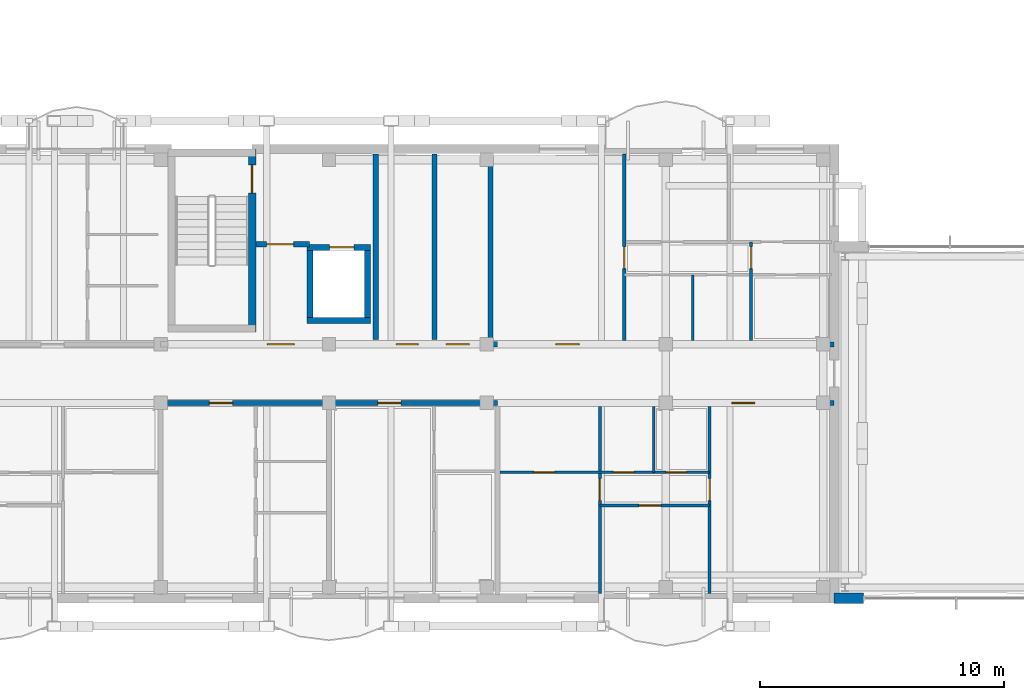
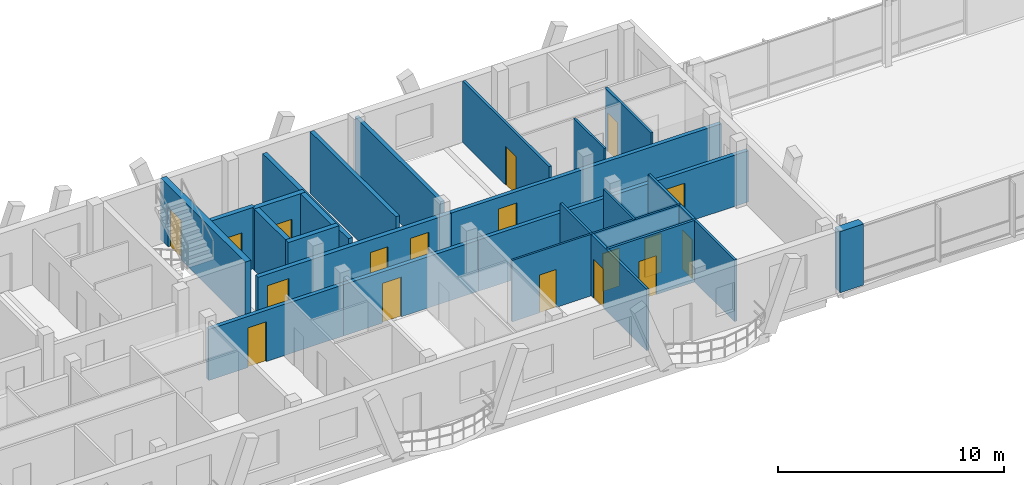
# One storey, part 144 of 189: 23 walls, 18 doors, 18 openings.
"""IFC4 building model written with IfcOpenShell, lengths in metres."""

from ifc_helpers import new_model, si_unit, direction, frame, frame_2d, origin, origin_with_axes, place, context, subcontext, project, spatial, rectangle, extrude, material, layer, layer_set, type_object, element, fill, save


model = new_model("IFC4")

# Units and contexts
model_context = context("Model", 3, precision=1e-05, world=origin(), true_north=direction((0.0, 1.0)))
body_context = subcontext(model_context, "Body", "Model", "MODEL_VIEW")
ifc_project = project(units=[si_unit("LENGTHUNIT", "METRE"), si_unit("AREAUNIT", "SQUARE_METRE"), si_unit("VOLUMEUNIT", "CUBIC_METRE"), si_unit("PLANEANGLEUNIT", "RADIAN"), si_unit("MASSUNIT", "GRAM", prefix="KILO")], contexts=[model_context])

# Site, building, storey
site_placement = place(None, origin())
site = spatial("IfcSite", under=ifc_project, at=site_placement, CompositionType="ELEMENT")
building_placement = place(site_placement, origin())
building = spatial("IfcBuilding", under=site, at=building_placement, Name="Zavelmont Quarter", CompositionType="ELEMENT")
storey_placement = place(building_placement, frame((0.0, 0.0, 4.39990234375)))
storey = spatial("IfcBuildingStorey", under=building, at=storey_placement, Name="L01", CompositionType="ELEMENT", Elevation=4.39990234375)

# Walls
ifc_material_1 = material(Name="Natural Belgian limestone", Category="masonry")
ifc_layer_1 = layer(ifc_material_1, 0.419921875)
ifc_layer_set_1 = layer_set([ifc_layer_1], Name="Natural Belgian limestone")
wall_type_1 = type_object("IfcWallType", Name="EW04", PredefinedType="STANDARD", material=ifc_layer_set_1)
wall_1_placement = place(storey_placement, frame((55.199951171875, 0.0, 0.0), z_axis=(0.0, 0.0, 1.0), x_axis=(1.0, 0.0, 0.0)))
element("IfcWall", 1, at=wall_1_placement, inside=storey, type_object=wall_type_1, Name="L01 exterior limestone wall EW04", PredefinedType="STANDARD", context=body_context, shape_type="SweptSolid", body=[
    extrude(rectangle(XDim=1.199951171875, YDim=0.419921875, at=frame_2d((0.60009765625, 0.0))), origin(), (0.0, 0.0, 1.0), 3.31005859375),
])
ifc_material_2 = material(Name="Calcium-silicate blockwork and acoustic plaster", Category="masonry")
ifc_layer_2 = layer(ifc_material_2, 0.199951171875)
ifc_layer_set_2 = layer_set([ifc_layer_2], Name="Calcium-silicate blockwork and acoustic plaster")
wall_type_2 = type_object("IfcWallType", Name="IW01", PredefinedType="PARTITIONING", material=ifc_layer_set_2)
for number, where, z_axis, x_axis, name in (
    (2, (38.824951171875, 10.60009765625, 0.0), (0.0, 0.0, 1.0), (0.0, 1.0, 0.0), "L01 Service riser divider wall IW01"),
    (3, (41.1201171875, 10.60009765625, 0.0), (0.0, 0.0, 1.0), (0.0, 1.0, 0.0), "L01 Core service end wall IW01"),
):
    element("IfcWall", number, at=place(storey_placement, frame(where, z_axis=z_axis, x_axis=x_axis)), inside=storey, type_object=wall_type_2, Name=name, PredefinedType="PARTITIONING", context=body_context, shape_type="SweptSolid", body=[
        extrude(rectangle(XDim=7.599853515625, YDim=0.199951171875, at=frame_2d((3.7998046875, 0.0))), origin(), (0.0, 0.0, 1.0), 3.330078125),
    ])

# Wall, opening, door
wall_2_placement = place(storey_placement, frame((27.60009765625, 8.0, 0.0), z_axis=(0.0, 0.0, 1.0), x_axis=(1.0, 0.0, 0.0)))
wall_2 = element("IfcWall", 4, at=wall_2_placement, inside=storey, type_object=wall_type_2, Name="L01 Corridor compartment wall IW01", PredefinedType="PARTITIONING", context=body_context, shape_type="SweptSolid", body=[
    extrude(rectangle(XDim=6.89990234375, YDim=0.199951171875, at=frame_2d((3.449951171875, 0.0))), origin(), (0.0, 0.0, 1.0), 2.77001953125),
])
opening_1_placement = place(wall_2_placement, frame((2.0, 0.0, 0.0)))
opening_1 = element("IfcOpeningElement", 5, at=opening_1_placement, cuts=wall_2, Name="Opening DR02", PredefinedType="OPENING", context=body_context, shape_type="SweptSolid", body=[
    extrude(rectangle(XDim=0.949951171875, YDim=2.14990234375, at=frame_2d((0.47509765625, 1.074951171875))), frame((0.0, 0.11181640625, 0.0), z_axis=(0.0, -1.0, 0.0), x_axis=(1.0, 0.0, 0.0)), (0.0, 0.0, 1.0), 0.223876953125),
])
ifc_material_3 = material(Name="Solid-core oak fire leaf in steel frame", Category="steel")
door_type_1 = type_object("IfcDoorType", Name="DR02", OperationType="NOTDEFINED", PredefinedType="DOOR", material=ifc_material_3)
door_1_placement = place(opening_1_placement, frame((0.949951171875, 0.0, 0.0), z_axis=(0.0, 0.0, 1.0), x_axis=(-1.0, 0.0, 0.0)))
door_1 = element("IfcDoor", 6, at=door_1_placement, inside=storey, type_object=door_type_1, Name="L01 door DR02", OperationType="SINGLE_SWING_RIGHT", OverallHeight=2.14990234375, OverallWidth=0.949951171875, PredefinedType="DOOR", context=body_context, shape_type="SweptSolid", body=[
    extrude(rectangle(XDim=0.949951171875, YDim=2.14990234375, at=frame_2d((0.47509765625, 1.074951171875))), frame((0.0, 0.02490234375, 0.0), z_axis=(0.0, -1.0, 0.0), x_axis=(1.0, 0.0, 0.0)), (0.0, 0.0, 1.0), 0.050048828125),
])
fill(opening_1, door_1)

wall_3_placement = place(storey_placement, frame((34.5, 8.0, 0.0), z_axis=(0.0, 0.0, 1.0), x_axis=(1.0, 0.0, 0.0)))
wall_3 = element("IfcWall", 7, at=wall_3_placement, inside=storey, type_object=wall_type_2, Name="L01 Corridor compartment wall IW01", PredefinedType="PARTITIONING", context=body_context, shape_type="SweptSolid", body=[
    extrude(rectangle(XDim=6.89990234375, YDim=0.199951171875, at=frame_2d((3.449951171875, 0.0))), origin(), (0.0, 0.0, 1.0), 2.77001953125),
])
opening_2_placement = place(wall_3_placement, frame((2.0, 0.0, 0.0)))
opening_2 = element("IfcOpeningElement", 8, at=opening_2_placement, cuts=wall_3, Name="Opening DR02", PredefinedType="OPENING", context=body_context, shape_type="SweptSolid", body=[
    extrude(rectangle(XDim=0.949951171875, YDim=2.14990234375, at=frame_2d((0.47509765625, 1.074951171875))), frame((0.0, 0.11181640625, 0.0), z_axis=(0.0, -1.0, 0.0), x_axis=(1.0, 0.0, 0.0)), (0.0, 0.0, 1.0), 0.223876953125),
])
door_2_placement = place(opening_2_placement, frame((0.949951171875, 0.0, 0.0), z_axis=(0.0, 0.0, 1.0), x_axis=(-1.0, 0.0, 0.0)))
door_2 = element("IfcDoor", 9, at=door_2_placement, inside=storey, type_object=door_type_1, Name="L01 door DR02", OperationType="SINGLE_SWING_LEFT", OverallHeight=2.14990234375, OverallWidth=0.949951171875, PredefinedType="DOOR", context=body_context, shape_type="SweptSolid", body=[
    extrude(rectangle(XDim=0.949951171875, YDim=2.14990234375, at=frame_2d((0.47509765625, 1.074951171875))), frame((0.0, 0.02490234375, 0.0), z_axis=(0.0, -1.0, 0.0), x_axis=(1.0, 0.0, 0.0)), (0.0, 0.0, 1.0), 0.050048828125),
])
fill(opening_2, door_2)

wall_4_placement = place(storey_placement, frame((41.39990234375, 8.0, 0.0), z_axis=(0.0, 0.0, 1.0), x_axis=(1.0, 0.0, 0.0)))
wall_4 = element("IfcWall", 10, at=wall_4_placement, inside=storey, type_object=wall_type_2, Name="L01 Corridor compartment wall IW01", PredefinedType="PARTITIONING", context=body_context, shape_type="SweptSolid", body=[
    extrude(rectangle(XDim=13.800048828125, YDim=0.199951171875, at=frame_2d((6.89990234375, 0.0))), origin(), (0.0, 0.0, 1.0), 2.77001953125),
])
opening_3_placement = place(wall_4_placement, frame((9.60009765625, 0.0, 0.0)))
opening_3 = element("IfcOpeningElement", 11, at=opening_3_placement, cuts=wall_4, Name="Opening DR02", PredefinedType="OPENING", context=body_context, shape_type="SweptSolid", body=[
    extrude(rectangle(XDim=0.949951171875, YDim=2.14990234375, at=frame_2d((0.47509765625, 1.074951171875))), frame((0.0, 0.11181640625, 0.0), z_axis=(0.0, -1.0, 0.0), x_axis=(1.0, 0.0, 0.0)), (0.0, 0.0, 1.0), 0.223876953125),
])
door_3_placement = place(opening_3_placement, frame((0.949951171875, 0.0, 0.0), z_axis=(0.0, 0.0, 1.0), x_axis=(-1.0, 0.0, 0.0)))
door_3 = element("IfcDoor", 12, at=door_3_placement, inside=storey, type_object=door_type_1, Name="L01 door DR02", OperationType="SINGLE_SWING_LEFT", OverallHeight=2.14990234375, OverallWidth=0.949951171875, PredefinedType="DOOR", context=body_context, shape_type="SweptSolid", body=[
    extrude(rectangle(XDim=0.949951171875, YDim=2.14990234375, at=frame_2d((0.47509765625, 1.074951171875))), frame((0.0, 0.02490234375, 0.0), z_axis=(0.0, -1.0, 0.0), x_axis=(1.0, 0.0, 0.0)), (0.0, 0.0, 1.0), 0.050048828125),
])
fill(opening_3, door_3)

wall_5_placement = place(storey_placement, frame((41.39990234375, 10.39990234375, 0.0), z_axis=(0.0, 0.0, 1.0), x_axis=(1.0, 0.0, 0.0)))
wall_5 = element("IfcWall", 13, at=wall_5_placement, inside=storey, type_object=wall_type_2, Name="L01 Corridor compartment wall IW01", PredefinedType="PARTITIONING", context=body_context, shape_type="SweptSolid", body=[
    extrude(rectangle(XDim=13.800048828125, YDim=0.199951171875, at=frame_2d((6.89990234375, 0.0))), origin(), (0.0, 0.0, 1.0), 2.77001953125),
])
opening_4_placement = place(wall_5_placement, frame((2.39990234375, 0.0, 0.0)))
opening_4 = element("IfcOpeningElement", 14, at=opening_4_placement, cuts=wall_5, Name="Opening DR02", PredefinedType="OPENING", context=body_context, shape_type="SweptSolid", body=[
    extrude(rectangle(XDim=0.949951171875, YDim=2.14990234375, at=frame_2d((0.47509765625, 1.074951171875))), frame((0.0, 0.11181640625, 0.0), z_axis=(0.0, -1.0, 0.0), x_axis=(1.0, 0.0, 0.0)), (0.0, 0.0, 1.0), 0.223876953125),
])
door_4_placement = place(opening_4_placement, origin_with_axes())
door_4 = element("IfcDoor", 15, at=door_4_placement, inside=storey, type_object=door_type_1, Name="L01 door DR02", OperationType="SINGLE_SWING_RIGHT", OverallHeight=2.14990234375, OverallWidth=0.949951171875, PredefinedType="DOOR", context=body_context, shape_type="SweptSolid", body=[
    extrude(rectangle(XDim=0.949951171875, YDim=2.14990234375, at=frame_2d((0.47509765625, 1.074951171875))), frame((0.0, 0.02490234375, 0.0), z_axis=(0.0, -1.0, 0.0), x_axis=(1.0, 0.0, 0.0)), (0.0, 0.0, 1.0), 0.050048828125),
])
fill(opening_4, door_4)

# Wall
ifc_material_4 = material(Name="Reinforced masonry fire compartment wall", Category="masonry")
ifc_layer_3 = layer(ifc_material_4, 0.22509765625)
ifc_layer_set_3 = layer_set([ifc_layer_3], Name="Reinforced masonry fire compartment wall")
wall_type_3 = type_object("IfcWallType", Name="IW02", PredefinedType="PARTITIONING", material=ifc_layer_set_3)
wall_6_placement = place(storey_placement, frame((36.409912109375, 10.60009765625, 0.0), z_axis=(0.0, 0.0, 1.0), x_axis=(0.0, 1.0, 0.0)))
element("IfcWall", 16, at=wall_6_placement, inside=storey, type_object=wall_type_3, Name="L01 Firefighting lobby enclosure wall IW02", PredefinedType="PARTITIONING", context=body_context, shape_type="SweptSolid", body=[
    extrude(rectangle(XDim=7.599853515625, YDim=0.22509765625, at=frame_2d((3.7998046875, 0.0))), origin(), (0.0, 0.0, 1.0), 2.989990234375),
])

# Wall, opening, door
wall_7_placement = place(storey_placement, frame((31.5, 14.5, 0.0), z_axis=(0.0, 0.0, 1.0), x_axis=(1.0, 0.0, 0.0)))
wall_7 = element("IfcWall", 17, at=wall_7_placement, inside=storey, type_object=wall_type_3, Name="L01 Firefighting lobby threshold wall IW02", PredefinedType="PARTITIONING", context=body_context, shape_type="SweptSolid", body=[
    extrude(rectangle(XDim=2.199951171875, YDim=0.22509765625, at=frame_2d((1.10009765625, 0.0))), origin(), (0.0, 0.0, 1.0), 3.330078125),
])
opening_5_placement = place(wall_7_placement, frame((0.449951171875, 0.0, 0.0)))
opening_5 = element("IfcOpeningElement", 18, at=opening_5_placement, cuts=wall_7, Name="Opening DR10", PredefinedType="OPENING", context=body_context, shape_type="SweptSolid", body=[
    extrude(rectangle(XDim=1.10009765625, YDim=2.14990234375, at=frame_2d((0.550048828125, 1.074951171875))), frame((0.0, 0.12451171875, 0.0), z_axis=(0.0, -1.0, 0.0), x_axis=(1.0, 0.0, 0.0)), (0.0, 0.0, 1.0), 0.2490234375),
])
ifc_material_5 = material(Name="Painted steel lobby fire door", Category="steel")
door_type_2 = type_object("IfcDoorType", Name="DR10", OperationType="NOTDEFINED", PredefinedType="DOOR", material=ifc_material_5)
door_5_placement = place(opening_5_placement, origin_with_axes())
door_5 = element("IfcDoor", 19, at=door_5_placement, inside=storey, type_object=door_type_2, Name="Firefighting lobby fire door", OperationType="SINGLE_SWING_RIGHT", OverallHeight=2.14990234375, OverallWidth=1.10009765625, PredefinedType="DOOR", context=body_context, shape_type="SweptSolid", body=[
    extrude(rectangle(XDim=1.10009765625, YDim=2.14990234375, at=frame_2d((0.550048828125, 1.074951171875))), frame((0.0, 0.02490234375, 0.0), z_axis=(0.0, -1.0, 0.0), x_axis=(1.0, 0.0, 0.0)), (0.0, 0.0, 1.0), 0.050048828125),
])
fill(opening_5, door_5)

# Wall, openings, doors
wall_8_placement = place(storey_placement, frame((31.5, 10.39990234375, 0.0), z_axis=(0.0, 0.0, 1.0), x_axis=(1.0, 0.0, 0.0)))
wall_8 = element("IfcWall", 20, at=wall_8_placement, inside=storey, type_object=wall_type_3, Name="L01 Core corridor fire wall IW02", PredefinedType="PARTITIONING", context=body_context, shape_type="SweptSolid", body=[
    extrude(rectangle(XDim=9.89990234375, YDim=0.22509765625, at=frame_2d((4.949951171875, 0.0))), origin(), (0.0, 0.0, 1.0), 2.77001953125),
])
opening_6_placement = place(wall_8_placement, frame((0.47509765625, 0.0, 0.0)))
opening_6 = element("IfcOpeningElement", 21, at=opening_6_placement, cuts=wall_8, Name="Opening DR10", PredefinedType="OPENING", context=body_context, shape_type="SweptSolid", body=[
    extrude(rectangle(XDim=1.10009765625, YDim=2.14990234375, at=frame_2d((0.550048828125, 1.074951171875))), frame((0.0, 0.12451171875, 0.0), z_axis=(0.0, -1.0, 0.0), x_axis=(1.0, 0.0, 0.0)), (0.0, 0.0, 1.0), 0.2490234375),
])
opening_7_placement = place(wall_8_placement, frame((5.75, 0.0, 0.0)))
opening_7 = element("IfcOpeningElement", 22, at=opening_7_placement, cuts=wall_8, Name="Opening DR11", PredefinedType="OPENING", context=body_context, shape_type="SweptSolid", body=[
    extrude(rectangle(XDim=0.89990234375, YDim=2.10009765625, at=frame_2d((0.449951171875, 1.050048828125))), frame((0.0, 0.12451171875, 0.0), z_axis=(0.0, -1.0, 0.0), x_axis=(1.0, 0.0, 0.0)), (0.0, 0.0, 1.0), 0.2490234375),
])
opening_8_placement = place(wall_8_placement, frame((7.800048828125, 0.0, 0.0)))
opening_8 = element("IfcOpeningElement", 23, at=opening_8_placement, cuts=wall_8, Name="Opening DR02", PredefinedType="OPENING", context=body_context, shape_type="SweptSolid", body=[
    extrude(rectangle(XDim=0.949951171875, YDim=2.14990234375, at=frame_2d((0.47509765625, 1.074951171875))), frame((0.0, 0.12451171875, 0.0), z_axis=(0.0, -1.0, 0.0), x_axis=(1.0, 0.0, 0.0)), (0.0, 0.0, 1.0), 0.2490234375),
])
door_6_placement = place(opening_8_placement, frame((0.949951171875, 0.0, 0.0), z_axis=(0.0, 0.0, 1.0), x_axis=(-1.0, 0.0, 0.0)))
door_6 = element("IfcDoor", 24, at=door_6_placement, inside=storey, type_object=door_type_1, Name="Auxiliary store corridor door", OperationType="SINGLE_SWING_RIGHT", OverallHeight=2.14990234375, OverallWidth=0.949951171875, PredefinedType="DOOR", context=body_context, shape_type="SweptSolid", body=[
    extrude(rectangle(XDim=0.949951171875, YDim=2.14990234375, at=frame_2d((0.47509765625, 1.074951171875))), frame((0.0, 0.02490234375, 0.0), z_axis=(0.0, -1.0, 0.0), x_axis=(1.0, 0.0, 0.0)), (0.0, 0.0, 1.0), 0.050048828125),
])
fill(opening_8, door_6)
door_7_placement = place(opening_6_placement, origin_with_axes())
door_7 = element("IfcDoor", 25, at=door_7_placement, inside=storey, type_object=door_type_2, Name="Core vestibule fire door", OperationType="SINGLE_SWING_LEFT", OverallHeight=2.14990234375, OverallWidth=1.10009765625, PredefinedType="DOOR", context=body_context, shape_type="SweptSolid", body=[
    extrude(rectangle(XDim=1.10009765625, YDim=2.14990234375, at=frame_2d((0.550048828125, 1.074951171875))), frame((0.0, 0.02490234375, 0.0), z_axis=(0.0, -1.0, 0.0), x_axis=(1.0, 0.0, 0.0)), (0.0, 0.0, 1.0), 0.050048828125),
])
fill(opening_6, door_7)
ifc_material_6 = material(Name="Painted steel service-riser fire door", Category="steel")
door_type_3 = type_object("IfcDoorType", Name="DR11", OperationType="NOTDEFINED", PredefinedType="DOOR", material=ifc_material_6)
door_8_placement = place(opening_7_placement, frame((0.89990234375, 0.0, 0.0), z_axis=(0.0, 0.0, 1.0), x_axis=(-1.0, 0.0, 0.0)))
door_8 = element("IfcDoor", 26, at=door_8_placement, inside=storey, type_object=door_type_3, Name="Service riser fire door", OperationType="SINGLE_SWING_LEFT", OverallHeight=2.10009765625, OverallWidth=0.89990234375, PredefinedType="DOOR", context=body_context, shape_type="SweptSolid", body=[
    extrude(rectangle(XDim=0.89990234375, YDim=2.10009765625, at=frame_2d((0.449951171875, 1.050048828125))), frame((0.0, 0.02490234375, 0.0), z_axis=(0.0, -1.0, 0.0), x_axis=(1.0, 0.0, 0.0)), (0.0, 0.0, 1.0), 0.050048828125),
])
fill(opening_7, door_8)

# Wall, opening, door
ifc_material_7 = material(Name="Double gypsum board on acoustic steel stud", Category="steel")
ifc_layer_4 = layer(ifc_material_7, 0.125)
ifc_layer_set_4 = layer_set([ifc_layer_4], Name="Double gypsum board on acoustic steel stud")
wall_type_4 = type_object("IfcWallType", Name="IW03", PredefinedType="PARTITIONING", material=ifc_layer_set_4)
wall_9_placement = place(storey_placement, frame((50.10009765625, 7.85009765625, 0.0), z_axis=(0.0, 0.0, 1.0), x_axis=(0.0, -1.0, 0.0)))
wall_9 = element("IfcWall", 27, at=wall_9_placement, inside=storey, type_object=wall_type_4, Name="L01 Partition IW03", PredefinedType="PARTITIONING", context=body_context, shape_type="SweptSolid", body=[
    extrude(rectangle(XDim=7.650146484375, YDim=0.125, at=frame_2d((3.8251953125, 0.0))), origin(), (0.0, 0.0, 1.0), 3.330078125),
])
opening_9_placement = place(wall_9_placement, frame((2.949951171875, 0.0, 0.0)))
opening_9 = element("IfcOpeningElement", 28, at=opening_9_placement, cuts=wall_9, Name="Opening DR05", PredefinedType="OPENING", context=body_context, shape_type="SweptSolid", body=[
    extrude(rectangle(XDim=0.89990234375, YDim=2.10009765625, at=frame_2d((0.449951171875, 1.050048828125))), frame((0.0, 0.074462890625, 0.0), z_axis=(0.0, -1.0, 0.0), x_axis=(1.0, 0.0, 0.0)), (0.0, 0.0, 1.0), 0.14892578125),
])
ifc_material_8 = material(Name="Engineered oak flush interior door")
door_type_4 = type_object("IfcDoorType", Name="DR05", OperationType="NOTDEFINED", PredefinedType="DOOR", material=ifc_material_8)
door_9_placement = place(opening_9_placement, origin_with_axes())
door_9 = element("IfcDoor", 29, at=door_9_placement, inside=storey, type_object=door_type_4, Name="L01 door DR05", OperationType="SINGLE_SWING_LEFT", OverallHeight=2.10009765625, OverallWidth=0.89990234375, PredefinedType="DOOR", context=body_context, shape_type="SweptSolid", body=[
    extrude(rectangle(XDim=0.89990234375, YDim=2.10009765625, at=frame_2d((0.449951171875, 1.050048828125))), frame((0.0, 0.02490234375, 0.0), z_axis=(0.0, -1.0, 0.0), x_axis=(1.0, 0.0, 0.0)), (0.0, 0.0, 1.0), 0.050048828125),
])
fill(opening_9, door_9)

wall_10_placement = place(storey_placement, frame((45.60009765625, 7.85009765625, 0.0), z_axis=(0.0, 0.0, 1.0), x_axis=(0.0, -1.0, 0.0)))
wall_10 = element("IfcWall", 30, at=wall_10_placement, inside=storey, type_object=wall_type_4, Name="L01 Partition IW03", PredefinedType="PARTITIONING", context=body_context, shape_type="SweptSolid", body=[
    extrude(rectangle(XDim=7.650146484375, YDim=0.125, at=frame_2d((3.8251953125, 0.0))), origin(), (0.0, 0.0, 1.0), 3.330078125),
])
opening_10_placement = place(wall_10_placement, frame((2.949951171875, 0.0, 0.0)))
opening_10 = element("IfcOpeningElement", 31, at=opening_10_placement, cuts=wall_10, Name="Opening DR05", PredefinedType="OPENING", context=body_context, shape_type="SweptSolid", body=[
    extrude(rectangle(XDim=0.89990234375, YDim=2.10009765625, at=frame_2d((0.449951171875, 1.050048828125))), frame((0.0, 0.074462890625, 0.0), z_axis=(0.0, -1.0, 0.0), x_axis=(1.0, 0.0, 0.0)), (0.0, 0.0, 1.0), 0.14892578125),
])
door_10_placement = place(opening_10_placement, frame((0.89990234375, 0.0, 0.0), z_axis=(0.0, 0.0, 1.0), x_axis=(-1.0, 0.0, 0.0)))
door_10 = element("IfcDoor", 32, at=door_10_placement, inside=storey, type_object=door_type_4, Name="L01 door DR05", OperationType="SINGLE_SWING_RIGHT", OverallHeight=2.10009765625, OverallWidth=0.89990234375, PredefinedType="DOOR", context=body_context, shape_type="SweptSolid", body=[
    extrude(rectangle(XDim=0.89990234375, YDim=2.10009765625, at=frame_2d((0.449951171875, 1.050048828125))), frame((0.0, 0.02490234375, 0.0), z_axis=(0.0, -1.0, 0.0), x_axis=(1.0, 0.0, 0.0)), (0.0, 0.0, 1.0), 0.050048828125),
])
fill(opening_10, door_10)

wall_11_placement = place(storey_placement, frame((45.60009765625, 3.800048828125, 0.0), z_axis=(0.0, 0.0, 1.0), x_axis=(1.0, 0.0, 0.0)))
wall_11 = element("IfcWall", 33, at=wall_11_placement, inside=storey, type_object=wall_type_4, Name="L01 Partition IW03", PredefinedType="PARTITIONING", context=body_context, shape_type="SweptSolid", body=[
    extrude(rectangle(XDim=4.5, YDim=0.125, at=frame_2d((2.25, 0.0))), origin(), (0.0, 0.0, 1.0), 3.330078125),
])
opening_11_placement = place(wall_11_placement, frame((1.60009765625, 0.0, 0.0)))
opening_11 = element("IfcOpeningElement", 34, at=opening_11_placement, cuts=wall_11, Name="Opening DR05", PredefinedType="OPENING", context=body_context, shape_type="SweptSolid", body=[
    extrude(rectangle(XDim=0.89990234375, YDim=2.10009765625, at=frame_2d((0.449951171875, 1.050048828125))), frame((0.0, 0.074462890625, 0.0), z_axis=(0.0, -1.0, 0.0), x_axis=(1.0, 0.0, 0.0)), (0.0, 0.0, 1.0), 0.14892578125),
])
door_11_placement = place(opening_11_placement, frame((0.89990234375, 0.0, 0.0), z_axis=(0.0, 0.0, 1.0), x_axis=(-1.0, 0.0, 0.0)))
door_11 = element("IfcDoor", 35, at=door_11_placement, inside=storey, type_object=door_type_4, Name="L01 door DR05", OperationType="SINGLE_SWING_RIGHT", OverallHeight=2.10009765625, OverallWidth=0.89990234375, PredefinedType="DOOR", context=body_context, shape_type="SweptSolid", body=[
    extrude(rectangle(XDim=0.89990234375, YDim=2.10009765625, at=frame_2d((0.449951171875, 1.050048828125))), frame((0.0, 0.02490234375, 0.0), z_axis=(0.0, -1.0, 0.0), x_axis=(1.0, 0.0, 0.0)), (0.0, 0.0, 1.0), 0.050048828125),
])
fill(opening_11, door_11)

wall_12_placement = place(storey_placement, frame((46.60009765625, 10.550048828125, 0.0), z_axis=(0.0, 0.0, 1.0), x_axis=(0.0, 1.0, 0.0)))
wall_12 = element("IfcWall", 36, at=wall_12_placement, inside=storey, type_object=wall_type_4, Name="L01 Partition IW03", PredefinedType="PARTITIONING", context=body_context, shape_type="SweptSolid", body=[
    extrude(rectangle(XDim=7.64990234375, YDim=0.125, at=frame_2d((3.824951171875, 0.0))), origin(), (0.0, 0.0, 1.0), 3.330078125),
])
opening_12_placement = place(wall_12_placement, frame((2.949951171875, 0.0, 0.0)))
opening_12 = element("IfcOpeningElement", 37, at=opening_12_placement, cuts=wall_12, Name="Opening DR05", PredefinedType="OPENING", context=body_context, shape_type="SweptSolid", body=[
    extrude(rectangle(XDim=0.89990234375, YDim=2.10009765625, at=frame_2d((0.449951171875, 1.050048828125))), frame((0.0, 0.074462890625, 0.0), z_axis=(0.0, -1.0, 0.0), x_axis=(1.0, 0.0, 0.0)), (0.0, 0.0, 1.0), 0.14892578125),
])
door_12_placement = place(opening_12_placement, frame((0.89990234375, 0.0, 0.0), z_axis=(0.0, 0.0, 1.0), x_axis=(-1.0, 0.0, 0.0)))
door_12 = element("IfcDoor", 38, at=door_12_placement, inside=storey, type_object=door_type_4, Name="L01 door DR05", OperationType="SINGLE_SWING_RIGHT", OverallHeight=2.10009765625, OverallWidth=0.89990234375, PredefinedType="DOOR", context=body_context, shape_type="SweptSolid", body=[
    extrude(rectangle(XDim=0.89990234375, YDim=2.10009765625, at=frame_2d((0.449951171875, 1.050048828125))), frame((0.0, 0.02490234375, 0.0), z_axis=(0.0, -1.0, 0.0), x_axis=(1.0, 0.0, 0.0)), (0.0, 0.0, 1.0), 0.050048828125),
])
fill(opening_12, door_12)

wall_13_placement = place(storey_placement, frame((51.800048828125, 10.550048828125, 0.0), z_axis=(0.0, 0.0, 1.0), x_axis=(0.0, 1.0, 0.0)))
wall_13 = element("IfcWall", 39, at=wall_13_placement, inside=storey, type_object=wall_type_4, Name="L01 Partition IW03", PredefinedType="PARTITIONING", context=body_context, shape_type="SweptSolid", body=[
    extrude(rectangle(XDim=4.050048828125, YDim=0.125, at=frame_2d((2.02490234375, 0.0))), origin(), (0.0, 0.0, 1.0), 3.330078125),
])
opening_13_placement = place(wall_13_placement, frame((2.949951171875, 0.0, 0.0)))
opening_13 = element("IfcOpeningElement", 40, at=opening_13_placement, cuts=wall_13, Name="Opening DR05", PredefinedType="OPENING", context=body_context, shape_type="SweptSolid", body=[
    extrude(rectangle(XDim=0.89990234375, YDim=2.10009765625, at=frame_2d((0.449951171875, 1.050048828125))), frame((0.0, 0.074462890625, 0.0), z_axis=(0.0, -1.0, 0.0), x_axis=(1.0, 0.0, 0.0)), (0.0, 0.0, 1.0), 0.14892578125),
])
door_13_placement = place(opening_13_placement, origin_with_axes())
door_13 = element("IfcDoor", 41, at=door_13_placement, inside=storey, type_object=door_type_4, Name="L01 door DR05", OperationType="SINGLE_SWING_LEFT", OverallHeight=2.10009765625, OverallWidth=0.89990234375, PredefinedType="DOOR", context=body_context, shape_type="SweptSolid", body=[
    extrude(rectangle(XDim=0.89990234375, YDim=2.10009765625, at=frame_2d((0.449951171875, 1.050048828125))), frame((0.0, 0.02490234375, 0.0), z_axis=(0.0, -1.0, 0.0), x_axis=(1.0, 0.0, 0.0)), (0.0, 0.0, 1.0), 0.050048828125),
])
fill(opening_13, door_13)

# Wall
ifc_material_9 = material(Name="Moisture-resistant gypsum board on steel stud", Category="steel")
ifc_layer_5 = layer(ifc_material_9, 0.10009765625)
ifc_layer_set_5 = layer_set([ifc_layer_5], Name="Moisture-resistant gypsum board on steel stud")
wall_type_5 = type_object("IfcWallType", Name="IW04", PredefinedType="PARTITIONING", material=ifc_layer_set_5)
wall_14_placement = place(storey_placement, frame((47.800048828125, 7.85009765625, 0.0), z_axis=(0.0, 0.0, 1.0), x_axis=(0.0, -1.0, 0.0)))
element("IfcWall", 42, at=wall_14_placement, inside=storey, type_object=wall_type_5, Name="L01 Partition IW04", PredefinedType="PARTITIONING", context=body_context, shape_type="SweptSolid", body=[
    extrude(rectangle(XDim=2.7001953125, YDim=0.10009765625, at=frame_2d((1.35009765625, 0.0))), origin(), (0.0, 0.0, 1.0), 3.330078125),
])

# Wall, openings, doors
wall_15_placement = place(storey_placement, frame((41.5, 5.14990234375, 0.0), z_axis=(0.0, 0.0, 1.0), x_axis=(1.0, 0.0, 0.0)))
wall_15 = element("IfcWall", 43, at=wall_15_placement, inside=storey, type_object=wall_type_5, Name="L01 Partition IW04", PredefinedType="PARTITIONING", context=body_context, shape_type="SweptSolid", body=[
    extrude(rectangle(XDim=8.60009765625, YDim=0.10009765625, at=frame_2d((4.300048828125, 0.0))), origin(), (0.0, 0.0, 1.0), 3.330078125),
])
opening_14_placement = place(wall_15_placement, frame((1.39990234375, 0.0, 0.0)))
opening_14 = element("IfcOpeningElement", 44, at=opening_14_placement, cuts=wall_15, Name="Opening DR06", PredefinedType="OPENING", context=body_context, shape_type="SweptSolid", body=[
    extrude(rectangle(XDim=0.85009765625, YDim=2.050048828125, at=frame_2d((0.425048828125, 1.02490234375))), frame((0.0, 0.06201171875, 0.0), z_axis=(0.0, -1.0, 0.0), x_axis=(1.0, 0.0, 0.0)), (0.0, 0.0, 1.0), 0.1240234375),
])
opening_15_placement = place(wall_15_placement, frame((4.64990234375, 0.0, 0.0)))
opening_15 = element("IfcOpeningElement", 45, at=opening_15_placement, cuts=wall_15, Name="Opening DR06", PredefinedType="OPENING", context=body_context, shape_type="SweptSolid", body=[
    extrude(rectangle(XDim=0.85009765625, YDim=2.050048828125, at=frame_2d((0.425048828125, 1.02490234375))), frame((0.0, 0.06201171875, 0.0), z_axis=(0.0, -1.0, 0.0), x_axis=(1.0, 0.0, 0.0)), (0.0, 0.0, 1.0), 0.1240234375),
])
opening_16_placement = place(wall_15_placement, frame((6.800048828125, 0.0, 0.0)))
opening_16 = element("IfcOpeningElement", 46, at=opening_16_placement, cuts=wall_15, Name="Opening DR16", PredefinedType="OPENING", context=body_context, shape_type="SweptSolid", body=[
    extrude(rectangle(XDim=0.85009765625, YDim=2.10009765625, at=frame_2d((0.425048828125, 1.050048828125))), frame((0.0, 0.06201171875, 0.0), z_axis=(0.0, -1.0, 0.0), x_axis=(1.0, 0.0, 0.0)), (0.0, 0.0, 1.0), 0.1240234375),
])
ifc_material_10 = material(Name="Moisture-resistant painted wet-room door")
door_type_5 = type_object("IfcDoorType", Name="DR06", OperationType="NOTDEFINED", PredefinedType="DOOR", material=ifc_material_10)
door_14_placement = place(opening_14_placement, origin_with_axes())
door_14 = element("IfcDoor", 47, at=door_14_placement, inside=storey, type_object=door_type_5, Name="L01 door DR06", OperationType="SINGLE_SWING_LEFT", OverallHeight=2.050048828125, OverallWidth=0.85009765625, PredefinedType="DOOR", context=body_context, shape_type="SweptSolid", body=[
    extrude(rectangle(XDim=0.85009765625, YDim=2.050048828125, at=frame_2d((0.425048828125, 1.02490234375))), frame((0.0, 0.02490234375, 0.0), z_axis=(0.0, -1.0, 0.0), x_axis=(1.0, 0.0, 0.0)), (0.0, 0.0, 1.0), 0.050048828125),
])
fill(opening_14, door_14)
door_15_placement = place(opening_15_placement, frame((0.85009765625, 0.0, 0.0), z_axis=(0.0, 0.0, 1.0), x_axis=(-1.0, 0.0, 0.0)))
door_15 = element("IfcDoor", 48, at=door_15_placement, inside=storey, type_object=door_type_5, Name="L01 door DR06", OperationType="SINGLE_SWING_RIGHT", OverallHeight=2.050048828125, OverallWidth=0.85009765625, PredefinedType="DOOR", context=body_context, shape_type="SweptSolid", body=[
    extrude(rectangle(XDim=0.85009765625, YDim=2.050048828125, at=frame_2d((0.425048828125, 1.02490234375))), frame((0.0, 0.02490234375, 0.0), z_axis=(0.0, -1.0, 0.0), x_axis=(1.0, 0.0, 0.0)), (0.0, 0.0, 1.0), 0.050048828125),
])
fill(opening_15, door_15)
door_type_6 = type_object("IfcDoorType", Name="DR16", OperationType="NOTDEFINED", PredefinedType="DOOR", material=ifc_material_8)
door_16_placement = place(opening_16_placement, origin_with_axes())
door_16 = element("IfcDoor", 49, at=door_16_placement, inside=storey, type_object=door_type_6, Name="L01 door DR16", OperationType="SINGLE_SWING_LEFT", OverallHeight=2.10009765625, OverallWidth=0.85009765625, PredefinedType="DOOR", context=body_context, shape_type="SweptSolid", body=[
    extrude(rectangle(XDim=0.85009765625, YDim=2.10009765625, at=frame_2d((0.425048828125, 1.050048828125))), frame((0.0, 0.02490234375, 0.0), z_axis=(0.0, -1.0, 0.0), x_axis=(1.0, 0.0, 0.0)), (0.0, 0.0, 1.0), 0.050048828125),
])
fill(opening_16, door_16)

# Wall
wall_16_placement = place(storey_placement, frame((49.39990234375, 10.550048828125, 0.0), z_axis=(0.0, 0.0, 1.0), x_axis=(0.0, 1.0, 0.0)))
element("IfcWall", 50, at=wall_16_placement, inside=storey, type_object=wall_type_5, Name="L01 Partition IW04", PredefinedType="PARTITIONING", context=body_context, shape_type="SweptSolid", body=[
    extrude(rectangle(XDim=2.699951171875, YDim=0.10009765625, at=frame_2d((1.35009765625, 0.0))), origin(), (0.0, 0.0, 1.0), 3.330078125),
])

# Wall, opening, door
ifc_material_11 = material(Name="Concrete C40/50", Category="concrete")
ifc_layer_6 = layer(ifc_material_11, 0.300048828125)
ifc_layer_set_6 = layer_set([ifc_layer_6], Name="Concrete C40/50")
wall_type_6 = type_object("IfcWallType", Name="SW01", PredefinedType="SHEAR", material=ifc_layer_set_6)
wall_17_placement = place(storey_placement, frame((31.35009765625, 10.89990234375, 0.0), z_axis=(0.0, 0.0, 1.0), x_axis=(0.0, 1.0, 0.0)))
wall_17 = element("IfcWall", 51, at=wall_17_placement, inside=storey, type_object=wall_type_6, Name="L01 ST02 lobby shear wall SW01", PredefinedType="SHEAR", context=body_context, shape_type="SweptSolid", body=[
    extrude(rectangle(XDim=7.5, YDim=0.300048828125, at=frame_2d((3.75, 0.0))), origin(), (0.0, 0.0, 1.0), 3.330078125),
])
opening_17_placement = place(wall_17_placement, frame((5.699951171875, 0.0, 0.0)))
opening_17 = element("IfcOpeningElement", 52, at=opening_17_placement, cuts=wall_17, Name="Opening DR09", PredefinedType="OPENING", context=body_context, shape_type="SweptSolid", body=[
    extrude(rectangle(XDim=1.14990234375, YDim=2.14990234375, at=frame_2d((0.574951171875, 1.074951171875))), frame((0.0, 0.162109375, 0.0), z_axis=(0.0, -1.0, 0.0), x_axis=(1.0, 0.0, 0.0)), (0.0, 0.0, 1.0), 0.323974609375),
])
ifc_material_12 = material(Name="Painted steel stair-core fire door", Category="steel")
door_type_7 = type_object("IfcDoorType", Name="DR09", OperationType="NOTDEFINED", PredefinedType="DOOR", material=ifc_material_12)
door_17_placement = place(opening_17_placement, origin_with_axes())
door_17 = element("IfcDoor", 53, at=door_17_placement, inside=storey, type_object=door_type_7, Name="ST02 protected stair door", OperationType="SINGLE_SWING_LEFT", OverallHeight=2.14990234375, OverallWidth=1.14990234375, PredefinedType="DOOR", context=body_context, shape_type="SweptSolid", body=[
    extrude(rectangle(XDim=1.14990234375, YDim=2.14990234375, at=frame_2d((0.574951171875, 1.074951171875))), frame((0.0, 0.02490234375, 0.0), z_axis=(0.0, -1.0, 0.0), x_axis=(1.0, 0.0, 0.0)), (0.0, 0.0, 1.0), 0.050048828125),
])
fill(opening_17, door_17)

ifc_layer_7 = layer(ifc_material_11, 0.25)
ifc_layer_set_7 = layer_set([ifc_layer_7], Name="Concrete C40/50")
wall_type_7 = type_object("IfcWallType", Name="SW02", PredefinedType="SHEAR", material=ifc_layer_set_7)
wall_18_placement = place(storey_placement, frame((33.60009765625, 14.375, 0.0), z_axis=(0.0, 0.0, 1.0), x_axis=(1.0, 0.0, 0.0)))
wall_18 = element("IfcWall", 54, at=wall_18_placement, inside=storey, type_object=wall_type_7, Name="L01 Lift LF02 landing shaft wall SW02", PredefinedType="SHEAR", context=body_context, shape_type="SweptSolid", body=[
    extrude(rectangle(XDim=2.599853515625, YDim=0.25, at=frame_2d((1.2998046875, 0.0))), origin(), (0.0, 0.0, 1.0), 3.330078125),
])
opening_18_placement = place(wall_18_placement, frame((0.925048828125, 0.0, 0.0)))
opening_18 = element("IfcOpeningElement", 55, at=opening_18_placement, cuts=wall_18, Name="Opening LD01", PredefinedType="OPENING", context=body_context, shape_type="SweptSolid", body=[
    extrude(rectangle(XDim=1.0, YDim=2.10009765625, at=frame_2d((0.5, 1.050048828125))), frame((0.0, 0.136962890625, 0.0), z_axis=(0.0, -1.0, 0.0), x_axis=(1.0, 0.0, 0.0)), (0.0, 0.0, 1.0), 0.27392578125),
])
ifc_material_13 = material(Name="Brushed stainless-steel automatic sliding landing door", Category="steel")
door_type_8 = type_object("IfcDoorType", Name="LD01", OperationType="SLIDING_TO_LEFT", PredefinedType="DOOR", material=ifc_material_13)
door_18_placement = place(opening_18_placement, origin_with_axes())
door_18 = element("IfcDoor", 56, at=door_18_placement, inside=storey, type_object=door_type_8, Name="Lift LF02 sliding landing door", OperationType="SLIDING_TO_LEFT", OverallHeight=2.10009765625, OverallWidth=1.0, PredefinedType="DOOR", context=body_context, shape_type="SweptSolid", body=[
    extrude(rectangle(XDim=1.0, YDim=2.10009765625, at=frame_2d((0.5, 1.050048828125))), frame((0.0, 0.02490234375, 0.0), z_axis=(0.0, -1.0, 0.0), x_axis=(1.0, 0.0, 0.0)), (0.0, 0.0, 1.0), 0.050048828125),
])
fill(opening_18, door_18)

# Walls
wall_19_placement = place(storey_placement, frame((33.60009765625, 11.375, 0.0), z_axis=(0.0, 0.0, 1.0), x_axis=(1.0, 0.0, 0.0)))
element("IfcWall", 57, at=wall_19_placement, inside=storey, type_object=wall_type_7, Name="L01 Lift LF02 back shaft wall SW02", PredefinedType="SHEAR", context=body_context, shape_type="SweptSolid", body=[
    extrude(rectangle(XDim=2.599853515625, YDim=0.25, at=frame_2d((1.2998046875, 0.0))), origin(), (0.0, 0.0, 1.0), 3.330078125),
])
for number, where, z_axis, x_axis, name in (
    (58, (33.72509765625, 11.25, 0.0), (0.0, 0.0, 1.0), (0.0, 1.0, 0.0), "L01 Lift LF02 west shaft wall SW02"),
    (59, (36.074951171875, 11.25, 0.0), (0.0, 0.0, 1.0), (0.0, 1.0, 0.0), "L01 Lift LF02 east shaft wall SW02"),
):
    element("IfcWall", number, at=place(storey_placement, frame(where, z_axis=z_axis, x_axis=x_axis)), inside=storey, type_object=wall_type_7, Name=name, PredefinedType="SHEAR", context=body_context, shape_type="SweptSolid", body=[
        extrude(rectangle(XDim=3.25, YDim=0.25, at=frame_2d((1.625, 0.0))), origin(), (0.0, 0.0, 1.0), 3.330078125),
    ])

save(model, "model.ifc")
